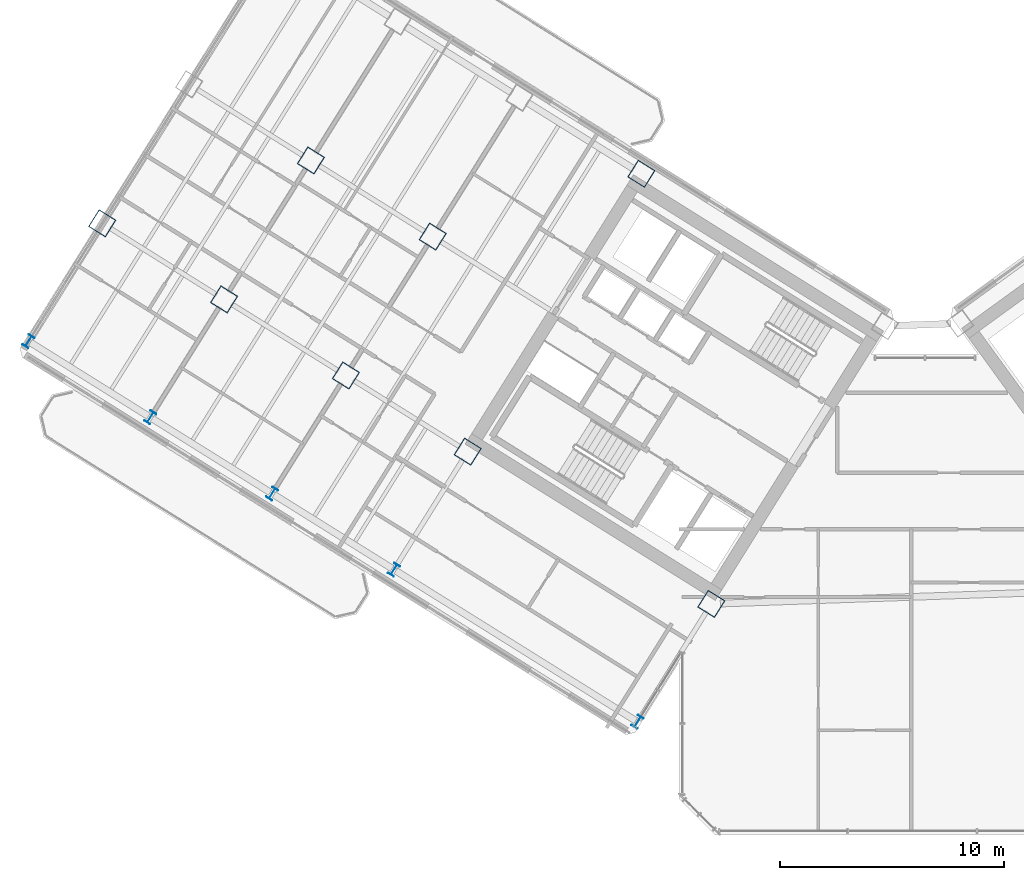
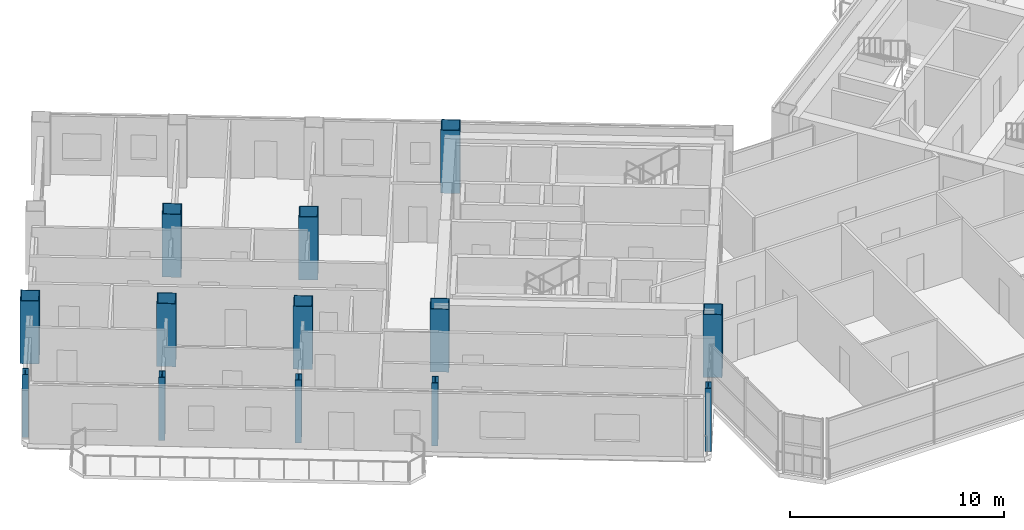
# One storey, part 1 of 29: 13 columns.
"""IFC4 building model written with IfcOpenShell, lengths in metres."""

from ifc_helpers import new_model, si_unit, direction, frame, origin, origin_2d, place, context, subcontext, project, spatial, hollow_rectangle, i_section, extrude, source, transform, mapped, material, material_profile, profile_set, type_object, element, save


model = new_model("IFC4")

# Units and contexts
model_context = context("Model", 3, precision=1e-05, world=origin(), true_north=direction((0.0, 1.0)))
body_context = subcontext(model_context, "Body", "Model", "MODEL_VIEW")
ifc_project = project(units=[si_unit("LENGTHUNIT", "METRE"), si_unit("AREAUNIT", "SQUARE_METRE"), si_unit("VOLUMEUNIT", "CUBIC_METRE"), si_unit("PLANEANGLEUNIT", "RADIAN"), si_unit("MASSUNIT", "GRAM", prefix="KILO")], contexts=[model_context])

# Site, building, storey
site_placement = place(None, origin())
site = spatial("IfcSite", under=ifc_project, at=site_placement, CompositionType="ELEMENT")
building_placement = place(site_placement, origin())
building = spatial("IfcBuilding", under=site, at=building_placement, Name="Tlacorven Tower", CompositionType="ELEMENT")
storey_placement = place(building_placement, frame((0.0, 0.0, 158.699951171875)))
storey = spatial("IfcBuildingStorey", under=building, at=storey_placement, Name="L40", CompositionType="ELEMENT", Elevation=158.699951171875)

# Columns
ifc_material = material(Name="Steel S460M", Category="steel")
ifc_material_profile_1 = material_profile(ifc_material, hollow_rectangle(XDim=0.89990234375, YDim=0.89990234375, WallThickness=0.035888671875, at=origin_2d()), Name="BOX 900X900X36")
ifc_profile_set_1 = profile_set([ifc_material_profile_1], Name="Steel S460M")
column_type_1 = type_object("IfcColumnType", Name="COL-TWR-S2", PredefinedType="COLUMN", material=ifc_profile_set_1)
shared_shape_1 = source(origin(), body_context, "Body", "SweptSolid", [
    extrude(hollow_rectangle(XDim=0.89990234375, YDim=0.89990234375, WallThickness=0.035888671875, at=origin_2d()), origin(), (0.0, 0.0, 1.0), 3.60009765625),
])
for number, where, z_axis, x_axis, name in (
    (1, (33.046142578125, 12.0869140625, 0.0), (0.0, 0.0, 1.0), (-0.848048096156, 0.529919264233, 0.0), "L40 column COL-L40-W1-3"),
    (2, (29.927978515625, 31.25146484375, 0.0), (0.0, 0.0, 1.0), (-0.848048096156, 0.529919264233, 0.0), "L40 column COL-L40-W3-1"),
    (3, (22.191162109375, 18.869873046875, 0.0), (0.0, 0.0, 1.0), (-0.848048096156, 0.529919264233, 0.0), "L40 column COL-L40-W3-3"),
    (4, (20.632080078125, 28.4521484375, 0.0), (0.0, 0.0, 1.0), (-0.848048096156, 0.529919264233, 0.0), "L40 column COL-L40-W4-2"),
    (5, (16.763671875, 22.26123046875, 0.0), (0.0, 0.0, 1.0), (-0.848048096156, 0.529919264233, 0.0), "L40 column COL-L40-W4-3"),
    (6, (15.20458984375, 31.843505859375, 0.0), (0.0, 0.0, 1.0), (-0.848048096156, 0.529919264233, 0.0), "L40 column COL-L40-W5-2"),
    (7, (11.336181640625, 25.65283203125, 0.0), (0.0, 0.0, 1.0), (-0.848048096156, 0.529919264233, 0.0), "L40 column COL-L40-W5-3"),
    (8, (5.90869140625, 29.044189453125, 0.0), (0.0, 0.0, 1.0), (-0.848048096156, 0.529919264233, 0.0), "L40 column COL-L40-W6-3"),
):
    element("IfcColumn", number, at=place(storey_placement, frame(where, z_axis=z_axis, x_axis=x_axis)), inside=storey, type_object=column_type_1, Name=name, PredefinedType="COLUMN", context=body_context, shape_type="MappedRepresentation", body=[
        mapped(shared_shape_1, transform((0.0, 0.0, 0.0), scale=1.0)),
    ])
ifc_material_profile_2 = material_profile(ifc_material, i_section(OverallWidth=0.300048828125, OverallDepth=0.550048828125, WebThickness=0.014892578125, FlangeThickness=0.029052734375, at=origin_2d()), Name="HEB 550")
ifc_profile_set_2 = profile_set([ifc_material_profile_2], Name="Steel S460M")
column_type_2 = type_object("IfcColumnType", Name="COL-TWR-P2", PredefinedType="COLUMN", material=ifc_profile_set_2)
shared_shape_2 = source(origin(), body_context, "Body", "SweptSolid", [
    extrude(i_section(OverallWidth=0.300048828125, OverallDepth=0.550048828125, WebThickness=0.014892578125, FlangeThickness=0.029052734375, at=origin_2d()), origin(), (0.0, 0.0, 1.0), 3.60009765625),
])
for number, where, z_axis, x_axis, name in (
    (9, (29.7607421875, 6.8291015625, 0.0), (0.0, 0.0, 1.0), (-0.848048096156, 0.529919264233, 0.0), "L40 column COL-L40-W1-4"),
    (10, (18.905517578125, 13.612060546875, 0.0), (0.0, 0.0, 1.0), (-0.848048096156, 0.529919264233, 0.0), "L40 column COL-L40-W3-4"),
    (11, (13.47802734375, 17.00341796875, 0.0), (0.0, 0.0, 1.0), (-0.848048096156, 0.529919264233, 0.0), "L40 column COL-L40-W4-4"),
    (12, (8.050537109375, 20.39501953125, 0.0), (0.0, 0.0, 1.0), (-0.848048096156, 0.529919264233, 0.0), "L40 column COL-L40-W5-4"),
    (13, (2.623046875, 23.786376953125, 0.0), (0.0, 0.0, 1.0), (-0.848048096156, 0.529919264233, 0.0), "L40 column COL-L40-W6-4"),
):
    element("IfcColumn", number, at=place(storey_placement, frame(where, z_axis=z_axis, x_axis=x_axis)), inside=storey, type_object=column_type_2, Name=name, PredefinedType="COLUMN", context=body_context, shape_type="MappedRepresentation", body=[
        mapped(shared_shape_2, transform((0.0, 0.0, 0.0), scale=1.0)),
    ])

save(model, "model.ifc")
